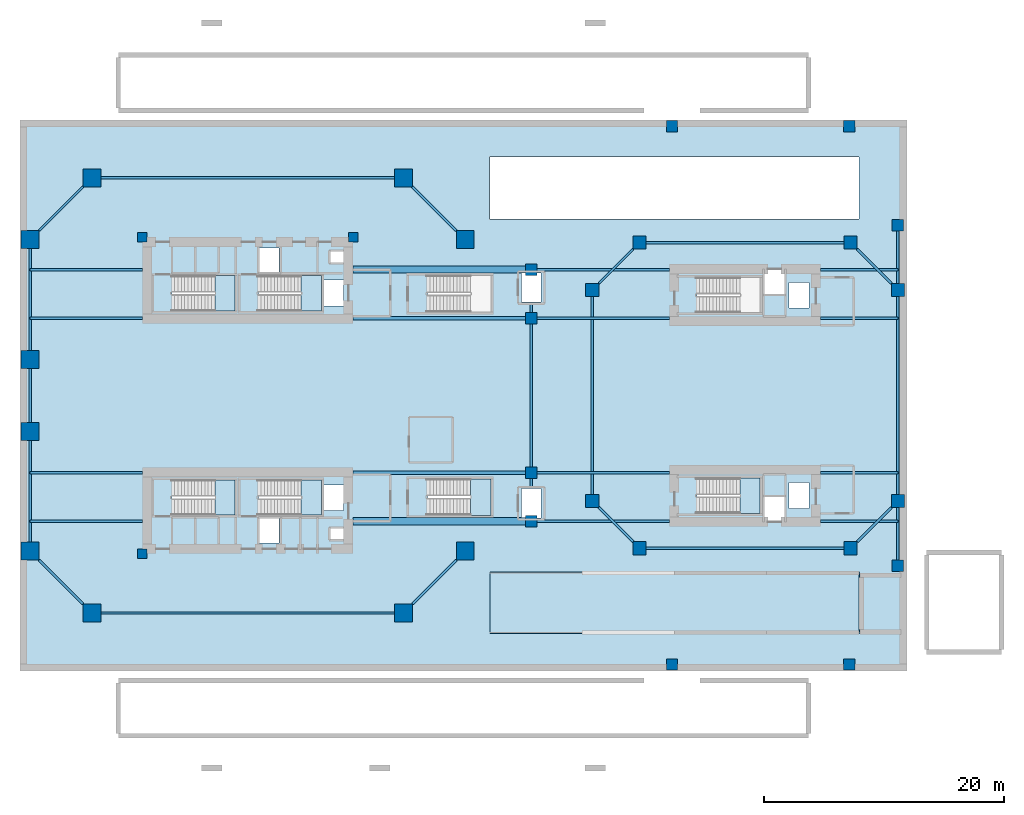
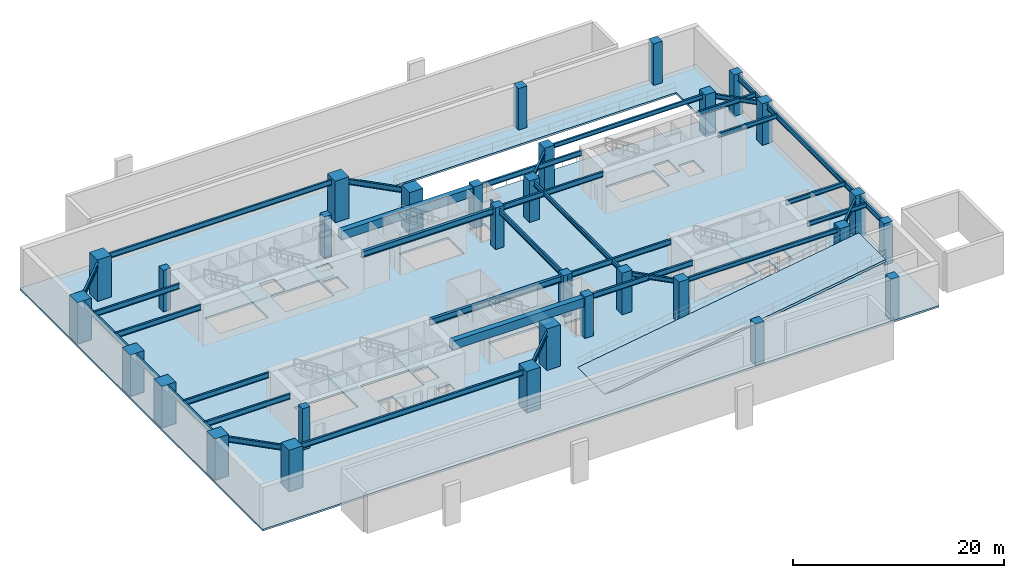
# One storey, part 1 of 10: 32 beams, 31 columns, 8 slabs, 6 elements without a shape of their own.
"""IFC4 building model written with IfcOpenShell, lengths in metres."""

import ifcopenshell
import ifcopenshell.guid

model = None  # the IFC model being written
_history = None  # IfcOwnerHistory: only IFC2X3 demands one
_inside = {}  # id of a spatial element -> (the spatial element, [elements in it])
_under = {}  # id of a project, library or spatial element -> (it, [spatial elements below it])
_declared = {}  # id of a project -> (the project, [libraries it declares])
_typed = {}  # id of a type object -> (the type object, [elements of that type])
_made_of = {}  # id of a material, layer set ... -> (it, [elements and type objects made of it])


def new_model(schema):
    """Start an empty IFC model of exactly this schema.

    Asked for "IFC4X3", IfcOpenShell would pick the latest addendum, in which some entities
    have other attributes; the version numbers below select the first issue.
    IFC2X3 requires an IfcOwnerHistory on every rooted entity: one is made here for all.
    """
    global model, _history
    if schema == "IFC4X3":
        model = ifcopenshell.file(schema_version=(4, 3, 0, 0))
    else:
        model = ifcopenshell.file(schema=schema)
    _inside.clear()
    _under.clear()
    _declared.clear()
    _typed.clear()
    _made_of.clear()
    _history = None
    if model.schema == "IFC2X3":
        org = make("IfcOrganization", Name="unknown")
        user = make(
            "IfcPersonAndOrganization",
            ThePerson=make("IfcPerson", FamilyName="unknown"),
            TheOrganization=org,
        )
        app = make(
            "IfcApplication",
            ApplicationDeveloper=org,
            Version="unknown",
            ApplicationFullName="unknown",
            ApplicationIdentifier="unknown",
        )
        _history = make(
            "IfcOwnerHistory",
            OwningUser=user,
            OwningApplication=app,
            ChangeAction="ADDED",
            CreationDate=0,
        )
    return model


def make(cls, **values):
    """One entity of the class cls with the attributes given. An attribute that is None is left unset."""
    return model.create_entity(
        cls, **{name: value for name, value in values.items() if value is not None}
    )


def rooted(cls, **values):
    """An entity with a GlobalId (a new one), such as an element, a storey or a relation."""
    return make(cls, GlobalId=ifcopenshell.guid.new(), OwnerHistory=_history, **values)


def si_unit(unit_type, name, prefix=None):
    """IfcSIUnit, for example si_unit("LENGTHUNIT", "METRE", prefix="MILLI")."""
    return make("IfcSIUnit", UnitType=unit_type, Prefix=prefix, Name=name)


def assignment(units):
    """IfcUnitAssignment: the units of a project."""
    return None if units is None else make("IfcUnitAssignment", Units=units)


def point(xyz):
    """IfcCartesianPoint."""
    return None if xyz is None else make("IfcCartesianPoint", Coordinates=xyz)


def direction(xyz):
    """IfcDirection."""
    return None if xyz is None else make("IfcDirection", DirectionRatios=xyz)


def frame(location, z_axis=None, x_axis=None):
    """IfcAxis2Placement3D, a coordinate frame: its origin and axes. An axis left out is left unset."""
    return make(
        "IfcAxis2Placement3D",
        Location=point(location),
        Axis=direction(z_axis),
        RefDirection=direction(x_axis),
    )


def frame_2d(location, x_axis=None):
    """IfcAxis2Placement2D, a coordinate frame in the plane: its origin and x axis."""
    return make(
        "IfcAxis2Placement2D", Location=point(location), RefDirection=direction(x_axis)
    )


def origin():
    """The frame at (0, 0, 0) with its axes left unset."""
    return frame((0.0, 0.0, 0.0))


def origin_2d():
    """The frame at (0, 0) in the plane with its x axis left unset."""
    return frame_2d((0.0, 0.0))


def place(relative_to, where):
    """IfcLocalPlacement: puts the frame where relative to a parent placement (None: the world)."""
    return make(
        "IfcLocalPlacement", PlacementRelTo=relative_to, RelativePlacement=where
    )


def context(
    kind, dimensions, precision=None, world=None, true_north=None, identifier=None
):
    """IfcGeometricRepresentationContext, for example the 3D "Model" context."""
    return make(
        "IfcGeometricRepresentationContext",
        ContextIdentifier=identifier,
        ContextType=kind,
        CoordinateSpaceDimension=dimensions,
        Precision=precision,
        WorldCoordinateSystem=world,
        TrueNorth=true_north,
    )


def subcontext(parent, identifier, kind, view, scale=None):
    """IfcGeometricRepresentationSubContext, for example "Body" below "Model"."""
    return make(
        "IfcGeometricRepresentationSubContext",
        ContextIdentifier=identifier,
        ContextType=kind,
        ParentContext=parent,
        TargetScale=scale,
        TargetView=view,
    )


def project(units=None, contexts=None):
    """IfcProject with its units and contexts."""
    return rooted(
        "IfcProject",
        Name="project",
        RepresentationContexts=contexts,
        UnitsInContext=assignment(units),
    )


def spatial(cls, under=None, at=None, **own):
    """A site, building, storey or space (cls), placed at a placement, below another one or the project."""
    s = rooted(cls, ObjectPlacement=at, **own)
    if under is not None:
        _under.setdefault(under.id(), (under, []))[1].append(s)
    return s


def polyline(points):
    """IfcPolyline through the points."""
    return make("IfcPolyline", Points=[point(p) for p in points])


def profile(cls, at=None, kind="AREA", **sizes):
    """A parametric profile (cls). Its sizes go by their IFC names, for example OverallWidth=200.0."""
    return make(cls, ProfileType=kind, Position=at, **sizes)


def rectangle(**sizes):
    """IfcRectangleProfileDef."""
    return profile("IfcRectangleProfileDef", **sizes)


def i_section(**sizes):
    """IfcIShapeProfileDef."""
    return profile("IfcIShapeProfileDef", **sizes)


def outline(outer, holes=None, kind="AREA"):
    """IfcArbitraryClosedProfileDef: a profile drawn as a closed curve; with holes, ...WithVoids."""
    if holes is None:
        return make("IfcArbitraryClosedProfileDef", ProfileType=kind, OuterCurve=outer)
    return make(
        "IfcArbitraryProfileDefWithVoids",
        ProfileType=kind,
        OuterCurve=outer,
        InnerCurves=holes,
    )


def extrude(swept, where, along, depth):
    """IfcExtrudedAreaSolid: the profile swept, set in the frame where, extruded along a direction by depth."""
    return make(
        "IfcExtrudedAreaSolid",
        SweptArea=swept,
        Position=where,
        ExtrudedDirection=direction(along),
        Depth=depth,
    )


def shape(context_of_items, identifier, shape_type, items):
    """IfcShapeRepresentation: the items that make up one representation, for example the "Body"."""
    return make(
        "IfcShapeRepresentation",
        ContextOfItems=context_of_items,
        RepresentationIdentifier=identifier,
        RepresentationType=shape_type,
        Items=items,
    )


def source(mapping_origin, context_of_items, identifier, shape_type, items):
    """IfcRepresentationMap: a shape defined once, which mapped items show again and again."""
    return make(
        "IfcRepresentationMap",
        MappingOrigin=mapping_origin,
        MappedRepresentation=shape(context_of_items, identifier, shape_type, items),
    )


def transform(
    local_origin,
    x_axis=None,
    y_axis=None,
    z_axis=None,
    scale=None,
    scale2=None,
    scale3=None,
    uniform=True,
):
    """IfcCartesianTransformationOperator3D, or its non-uniform kind. x_axis, y_axis, z_axis: its Axis1, 2, 3."""
    if uniform:
        return make(
            "IfcCartesianTransformationOperator3D",
            Axis1=direction(x_axis),
            Axis2=direction(y_axis),
            LocalOrigin=point(local_origin),
            Scale=scale,
            Axis3=direction(z_axis),
        )
    return make(
        "IfcCartesianTransformationOperator3DnonUniform",
        Axis1=direction(x_axis),
        Axis2=direction(y_axis),
        LocalOrigin=point(local_origin),
        Scale=scale,
        Axis3=direction(z_axis),
        Scale2=scale2,
        Scale3=scale3,
    )


def mapped(mapping_source, mapping_target):
    """IfcMappedItem: shows the shape of a source again, moved by a transform."""
    return make(
        "IfcMappedItem", MappingSource=mapping_source, MappingTarget=mapping_target
    )


def material(Name=None, Category=None):
    """IfcMaterial."""
    return make("IfcMaterial", Name=Name, Category=Category)


def layer(
    of_material, thickness, ventilated=None, Name=None, Category=None, Priority=None
):
    """IfcMaterialLayer: one layer of a wall or slab, of a material (None: an air gap)."""
    return make(
        "IfcMaterialLayer",
        Material=of_material,
        LayerThickness=thickness,
        IsVentilated=ventilated,
        Name=Name,
        Category=Category,
        Priority=Priority,
    )


def layer_set(layers, Name=None):
    """IfcMaterialLayerSet."""
    return make("IfcMaterialLayerSet", MaterialLayers=layers, LayerSetName=Name)


def material_profile(
    of_material, cross_section, Name=None, Category=None, Priority=None
):
    """IfcMaterialProfile: a cross section and its material."""
    return make(
        "IfcMaterialProfile",
        Name=Name,
        Material=of_material,
        Profile=cross_section,
        Priority=Priority,
        Category=Category,
    )


def profile_set(profiles, Name=None, composite=None):
    """IfcMaterialProfileSet."""
    return make(
        "IfcMaterialProfileSet",
        Name=Name,
        MaterialProfiles=profiles,
        CompositeProfile=composite,
    )


def made_of(thing, what):
    """Note that an element or type object is made of a material, layer set ...; save() writes the relation."""
    if what is not None:
        _made_of.setdefault(what.id(), (what, []))[1].append(thing)
    return thing


def type_object(cls, material=None, **own):
    """A type object (cls), such as IfcWallType, which elements share."""
    return made_of(rooted(cls, **own), material)


def element(
    cls,
    number,
    at=None,
    inside=None,
    cuts=None,
    type_object=None,
    material=None,
    context=None,
    identifier="Body",
    shape_type=None,
    held_by="IfcProductDefinitionShape",
    body=None,
    shapes=None,
    **own,
):
    """One element of the class cls, such as IfcWall. Its Tag is "e" and its number.

    at: its placement. inside: the storey or other place that contains it. cuts: it is an
    opening in that element (IfcRelVoidsElement). A single representation is given by context,
    identifier, shape_type and body (its items); several are given by shapes. held_by: the class
    of the entity that holds the representations. save() writes the other relations.
    """
    e = rooted(cls, Tag="e%d" % number, ObjectPlacement=at, **own)
    if body is not None:
        shapes = [shape(context, identifier, shape_type, body)]
    if shapes is not None:
        e.Representation = make(held_by, Representations=shapes)
    if inside is not None:
        _inside.setdefault(inside.id(), (inside, []))[1].append(e)
    if cuts is not None:
        rooted(
            "IfcRelVoidsElement", RelatingBuildingElement=cuts, RelatedOpeningElement=e
        )
    if type_object is not None:
        _typed.setdefault(type_object.id(), (type_object, []))[1].append(e)
    return made_of(e, material)


def aggregate(whole, parts):
    """IfcRelAggregates: a whole, such as a stair, and the parts it consists of."""
    return rooted("IfcRelAggregates", RelatingObject=whole, RelatedObjects=parts)


def save(model, path):
    """Write the relations noted so far, then the file.

    IfcRelAggregates (storeys below a building ...), IfcRelContainedInSpatialStructure (elements
    in a storey), IfcRelDefinesByType, IfcRelAssociatesMaterial and IfcRelDeclares: one each for
    every whole, place, type object, material and project.
    """
    for whole, parts in _under.values():
        aggregate(whole, parts)
    for where, things in _inside.values():
        rooted(
            "IfcRelContainedInSpatialStructure",
            RelatedElements=things,
            RelatingStructure=where,
        )
    for kind, things in _typed.values():
        rooted("IfcRelDefinesByType", RelatedObjects=things, RelatingType=kind)
    for what, things in _made_of.values():
        rooted("IfcRelAssociatesMaterial", RelatedObjects=things, RelatingMaterial=what)
    for by, libraries in _declared.values():
        rooted("IfcRelDeclares", RelatingContext=by, RelatedDefinitions=libraries)
    model.write(path)


model = new_model("IFC4")

# Units and contexts
model_context = context("Model", 3, precision=1e-05, world=origin(), true_north=direction((0.0, 1.0)))
body_context = subcontext(model_context, "Body", "Model", "MODEL_VIEW")
ifc_project = project(units=[si_unit("LENGTHUNIT", "METRE"), si_unit("AREAUNIT", "SQUARE_METRE"), si_unit("VOLUMEUNIT", "CUBIC_METRE"), si_unit("PLANEANGLEUNIT", "RADIAN"), si_unit("MASSUNIT", "GRAM", prefix="KILO"), si_unit("THERMODYNAMICTEMPERATUREUNIT", "KELVIN"), si_unit("POWERUNIT", "WATT")], contexts=[model_context])

# Site, building, storey
site_placement = place(None, origin())
site = spatial("IfcSite", under=ifc_project, at=site_placement, CompositionType="ELEMENT")
building_placement = place(site_placement, origin())
building = spatial("IfcBuilding", under=site, at=building_placement, Name="Qiaomeng Ring Towers", CompositionType="ELEMENT")
storey_placement = place(building_placement, frame((0.0, 0.0, -4.800048828125)))
storey = spatial("IfcBuildingStorey", under=building, at=storey_placement, Name="B1", CompositionType="ELEMENT", Elevation=-4.800048828125)

# Columns
ifc_material_1 = material(Name="Concrete C60", Category="concrete")
ifc_material_profile_1 = material_profile(ifc_material_1, rectangle(XDim=1.5, YDim=1.5, at=origin_2d()), Name="RC COL 1500x1500")
ifc_profile_set_1 = profile_set([ifc_material_profile_1], Name="Concrete C60")
column_type_1 = type_object("IfcColumnType", Name="STR-COL-1500", PredefinedType="COLUMN", material=ifc_profile_set_1)
shared_shape_1 = source(origin(), body_context, "Body", "SweptSolid", [
    extrude(rectangle(XDim=1.5, YDim=1.5, at=origin_2d()), origin(), (0.0, 0.0, 1.0), 4.800048828125),
])
for number, where, z_axis, x_axis, name in (
    (1, (6.0, 4.85009765625, 0.0), (0.0, 0.0, 1.0), (1.0, 0.0, 0.0), "B1 column STR-COL-B1-T1-S1"),
    (2, (32.0, 4.85009765625, 0.0), (0.0, 0.0, 1.0), (1.0, 0.0, 0.0), "B1 column STR-COL-B1-T1-S2"),
    (3, (37.14990234375, 10.0, 0.0), (0.0, 0.0, 1.0), (1.0, 0.0, 0.0), "B1 column STR-COL-B1-T1-E1"),
    (4, (37.14990234375, 36.0, 0.0), (0.0, 0.0, 1.0), (1.0, 0.0, 0.0), "B1 column STR-COL-B1-T1-E4"),
    (5, (32.0, 41.14990234375, 0.0), (0.0, 0.0, 1.0), (1.0, 0.0, 0.0), "B1 column STR-COL-B1-T1-N2"),
    (6, (6.0, 41.14990234375, 0.0), (0.0, 0.0, 1.0), (1.0, 0.0, 0.0), "B1 column STR-COL-B1-T1-N1"),
    (7, (0.85009765625, 36.0, 0.0), (0.0, 0.0, 1.0), (1.0, 0.0, 0.0), "B1 column STR-COL-B1-T1-W4"),
    (8, (0.85009765625, 26.0, 0.0), (0.0, 0.0, 1.0), (1.0, 0.0, 0.0), "B1 column STR-COL-B1-T1-W3"),
    (9, (0.85009765625, 20.0, 0.0), (0.0, 0.0, 1.0), (1.0, 0.0, 0.0), "B1 column STR-COL-B1-T1-W2"),
    (10, (0.85009765625, 10.0, 0.0), (0.0, 0.0, 1.0), (1.0, 0.0, 0.0), "B1 column STR-COL-B1-T1-W1"),
):
    element("IfcColumn", number, at=place(storey_placement, frame(where, z_axis=z_axis, x_axis=x_axis)), inside=storey, type_object=column_type_1, Name=name, PredefinedType="COLUMN", context=body_context, shape_type="MappedRepresentation", body=[
        mapped(shared_shape_1, transform((0.0, 0.0, 0.0), x_axis=(1.0, 0.0, 0.0), y_axis=(0.0, 1.0, 0.0), z_axis=(0.0, 0.0, 1.0), scale=1.0)),
    ])
ifc_material_profile_2 = material_profile(ifc_material_1, rectangle(XDim=1.10009765625, YDim=1.10009765625, at=origin_2d()), Name="RC COL 1100x1100")
ifc_profile_set_2 = profile_set([ifc_material_profile_2], Name="Concrete C60")
column_type_2 = type_object("IfcColumnType", Name="STR-COL-1100-C60", PredefinedType="COLUMN", material=ifc_profile_set_2)
shared_shape_2 = source(origin(), body_context, "Body", "SweptSolid", [
    extrude(rectangle(XDim=1.10009765625, YDim=1.10009765625, at=origin_2d()), origin(), (0.0, 0.0, 1.0), 4.800048828125),
])
for number, where, z_axis, x_axis, name in (
    (11, (51.699951171875, 10.25, 0.0), (0.0, 0.0, 1.0), (1.0, 0.0, 0.0), "B1 column STR-COL-B1-T2-S1"),
    (12, (69.300048828125, 10.25, 0.0), (0.0, 0.0, 1.0), (1.0, 0.0, 0.0), "B1 column STR-COL-B1-T2-S2"),
    (13, (73.25, 14.199951171875, 0.0), (0.0, 0.0, 1.0), (1.0, 0.0, 0.0), "B1 column STR-COL-B1-T2-E1"),
    (14, (73.25, 31.800048828125, 0.0), (0.0, 0.0, 1.0), (1.0, 0.0, 0.0), "B1 column STR-COL-B1-T2-E2"),
    (15, (69.300048828125, 35.75, 0.0), (0.0, 0.0, 1.0), (1.0, 0.0, 0.0), "B1 column STR-COL-B1-T2-N2"),
    (16, (51.699951171875, 35.75, 0.0), (0.0, 0.0, 1.0), (1.0, 0.0, 0.0), "B1 column STR-COL-B1-T2-N1"),
    (17, (47.75, 14.199951171875, 0.0), (0.0, 0.0, 1.0), (1.0, 0.0, 0.0), "B1 column STR-COL-B1-T2-W1"),
    (18, (47.75, 31.800048828125, 0.0), (0.0, 0.0, 1.0), (1.0, 0.0, 0.0), "B1 column STR-COL-B1-T2-W4"),
):
    element("IfcColumn", number, at=place(storey_placement, frame(where, z_axis=z_axis, x_axis=x_axis)), inside=storey, type_object=column_type_2, Name=name, PredefinedType="COLUMN", context=body_context, shape_type="MappedRepresentation", body=[
        mapped(shared_shape_2, transform((0.0, 0.0, 0.0), x_axis=(1.0, 0.0, 0.0), y_axis=(0.0, 1.0, 0.0), z_axis=(0.0, 0.0, 1.0), scale=1.0)),
    ])
ifc_material_profile_3 = material_profile(ifc_material_1, rectangle(XDim=0.949951171875, YDim=0.949951171875, at=origin_2d()), Name="RC COL 950x950")
ifc_profile_set_3 = profile_set([ifc_material_profile_3], Name="Concrete C60")
column_type_3 = type_object("IfcColumnType", Name="STR-COL-950-C60", PredefinedType="COLUMN", material=ifc_profile_set_3)
shared_shape_3 = source(origin(), body_context, "Body", "SweptSolid", [
    extrude(rectangle(XDim=0.949951171875, YDim=0.949951171875, at=origin_2d()), origin(), (0.0, 0.0, 1.0), 4.800048828125),
])
for number, where, z_axis, x_axis, name in (
    (19, (42.64990234375, 12.5, 0.0), (0.0, 0.0, 1.0), (1.0, 0.0, 0.0), "B1 column STR-COL-B1-P1"),
    (20, (42.64990234375, 16.550048828125, 0.0), (0.0, 0.0, 1.0), (1.0, 0.0, 0.0), "B1 column STR-COL-B1-P2S"),
    (21, (42.64990234375, 29.449951171875, 0.0), (0.0, 0.0, 1.0), (1.0, 0.0, 0.0), "B1 column STR-COL-B1-P2N"),
    (22, (42.64990234375, 33.5, 0.0), (0.0, 0.0, 1.0), (1.0, 0.0, 0.0), "B1 column STR-COL-B1-P3"),
    (23, (54.39990234375, 0.550048828125, 0.0), (0.0, 0.0, 1.0), (1.0, 0.0, 0.0), "B1 column STR-COL-B1-P4"),
    (24, (69.199951171875, 0.550048828125, 0.0), (0.0, 0.0, 1.0), (1.0, 0.0, 0.0), "B1 column STR-COL-B1-P5"),
    (25, (54.39990234375, 45.449951171875, 0.0), (0.0, 0.0, 1.0), (1.0, 0.0, 0.0), "B1 column STR-COL-B1-P6"),
    (26, (69.199951171875, 45.449951171875, 0.0), (0.0, 0.0, 1.0), (1.0, 0.0, 0.0), "B1 column STR-COL-B1-P7"),
    (27, (73.25, 8.800048828125, 0.0), (0.0, 0.0, 1.0), (1.0, 0.0, 0.0), "B1 column STR-COL-B1-PES"),
    (28, (73.25, 37.199951171875, 0.0), (0.0, 0.0, 1.0), (1.0, 0.0, 0.0), "B1 column STR-COL-B1-PEN"),
):
    element("IfcColumn", number, at=place(storey_placement, frame(where, z_axis=z_axis, x_axis=x_axis)), inside=storey, type_object=column_type_3, Name=name, PredefinedType="COLUMN", context=body_context, shape_type="MappedRepresentation", body=[
        mapped(shared_shape_3, transform((0.0, 0.0, 0.0), x_axis=(1.0, 0.0, 0.0), y_axis=(0.0, 1.0, 0.0), z_axis=(0.0, 0.0, 1.0), scale=1.0)),
    ])
ifc_material_profile_4 = material_profile(ifc_material_1, rectangle(XDim=0.800048828125, YDim=0.800048828125, at=origin_2d()), Name="RC COL 800x800")
ifc_profile_set_4 = profile_set([ifc_material_profile_4], Name="Concrete C60")
column_type_4 = type_object("IfcColumnType", Name="STR-PIL-800", PredefinedType="PILASTER", material=ifc_profile_set_4)
shared_shape_4 = source(origin(), body_context, "Body", "SweptSolid", [
    extrude(rectangle(XDim=0.800048828125, YDim=0.800048828125, at=origin_2d()), origin(), (0.0, 0.0, 1.0), 4.800048828125),
])
for number, where, z_axis, x_axis, name in (
    (29, (10.199951171875, 36.199951171875, 0.0), (0.0, 0.0, 1.0), (1.0, 0.0, 0.0), "B1 column STR-PIL-B1-PL-N1"),
    (30, (10.199951171875, 9.800048828125, 0.0), (0.0, 0.0, 1.0), (1.0, 0.0, 0.0), "B1 column STR-PIL-B1-PL-S1"),
    (31, (27.800048828125, 36.199951171875, 0.0), (0.0, 0.0, 1.0), (1.0, 0.0, 0.0), "B1 column STR-PIL-B1-PL-N2"),
):
    element("IfcColumn", number, at=place(storey_placement, frame(where, z_axis=z_axis, x_axis=x_axis)), inside=storey, type_object=column_type_4, Name=name, PredefinedType="PILASTER", context=body_context, shape_type="MappedRepresentation", body=[
        mapped(shared_shape_4, transform((0.0, 0.0, 0.0), x_axis=(1.0, 0.0, 0.0), y_axis=(0.0, 1.0, 0.0), z_axis=(0.0, 0.0, 1.0), scale=1.0)),
    ])

# Beams
ifc_material_profile_5 = material_profile(ifc_material_1, rectangle(XDim=0.60009765625, YDim=1.0, at=origin_2d()), Name="RC BM 600x1000")
ifc_profile_set_5 = profile_set([ifc_material_profile_5], Name="Concrete C60")
beam_type_1 = type_object("IfcBeamType", Name="STR-BM-RC1000", PredefinedType="LINTEL", material=ifc_profile_set_5)
shared_shape_5 = source(origin(), body_context, "Body", "SweptSolid", [
    extrude(rectangle(XDim=0.60009765625, YDim=1.0, at=origin_2d()), origin(), (0.0, 0.0, 1.0), 14.849853515625),
])
for number, where, z_axis, x_axis, name in (
    (32, (27.800048828125, 33.5, 4.080078125), (1.0, 0.0, 0.0), (0.0, 1.0, 0.0), "B1 beam STR-CB-B1-T1N"),
    (33, (27.800048828125, 12.5, 4.080078125), (1.0, 0.0, 0.0), (0.0, 1.0, 0.0), "B1 beam STR-CB-B1-T1S"),
):
    element("IfcBeam", number, at=place(storey_placement, frame(where, z_axis=z_axis, x_axis=x_axis)), inside=storey, type_object=beam_type_1, Name=name, PredefinedType="LINTEL", context=body_context, shape_type="MappedRepresentation", body=[
        mapped(shared_shape_5, transform((0.0, 0.0, 0.0), x_axis=(1.0, 0.0, 0.0), y_axis=(0.0, 1.0, 0.0), z_axis=(0.0, 0.0, 1.0), scale=1.0)),
    ])
ifc_material_2 = material(Name="Steel Q355B", Category="steel")
ifc_material_profile_6 = material_profile(ifc_material_2, i_section(OverallWidth=0.199951171875, OverallDepth=0.60009765625, WebThickness=0.010986328125, FlangeThickness=0.01708984375, FilletRadius=0.02197265625, at=origin_2d()), Name="HN 600x200x11x17")
ifc_profile_set_6 = profile_set([ifc_material_profile_6], Name="Steel Q355B")
beam_type_2 = type_object("IfcBeamType", Name="STR-BM-HN600", PredefinedType="BEAM", material=ifc_profile_set_6)
shared_shape_6 = source(origin(), body_context, "Body", "SweptSolid", [
    extrude(i_section(OverallWidth=0.199951171875, OverallDepth=0.60009765625, WebThickness=0.010986328125, FlangeThickness=0.01708984375, FilletRadius=0.02197265625, at=origin_2d()), origin(), (0.0, 0.0, 1.0), 24.501953125),
])
for number, where, z_axis, x_axis, name in (
    (34, (0.85009765625, 10.7490234375, 4.280029296875), (0.0, 1.0, 0.0), (-1.0, 0.0, 0.0), "B1 beam STR-SP-B1-WL"),
    (35, (6.7490234375, 4.85009765625, 4.280029296875), (1.0, 0.0, 0.0), (0.0, 1.0, 0.0), "B1 beam STR-SP-B1-T1-1"),
    (36, (31.2509765625, 41.14990234375, 4.280029296875), (-1.0, 0.0, 0.0), (0.0, -1.0, 0.0), "B1 beam STR-SP-B1-T1-4"),
):
    element("IfcBeam", number, at=place(storey_placement, frame(where, z_axis=z_axis, x_axis=x_axis)), inside=storey, type_object=beam_type_2, Name=name, PredefinedType="BEAM", context=body_context, shape_type="MappedRepresentation", body=[
        mapped(shared_shape_6, transform((0.0, 0.0, 0.0), x_axis=(1.0, 0.0, 0.0), y_axis=(0.0, 1.0, 0.0), z_axis=(0.0, 0.0, 1.0), scale=1.0)),
    ])
shared_shape_7 = source(origin(), body_context, "Body", "SweptSolid", [
    extrude(i_section(OverallWidth=0.199951171875, OverallDepth=0.60009765625, WebThickness=0.010986328125, FlangeThickness=0.01708984375, FilletRadius=0.02197265625, at=origin_2d()), origin(), (0.0, 0.0, 1.0), 27.4521484375),
])
beam_1_placement = place(storey_placement, frame((73.25, 9.27392578125, 4.280029296875), z_axis=(0.0, 1.0, 0.0), x_axis=(-1.0, 0.0, 0.0)))
element("IfcBeam", 37, at=beam_1_placement, inside=storey, type_object=beam_type_2, Name="B1 beam STR-SP-B1-EL", PredefinedType="BEAM", context=body_context, shape_type="MappedRepresentation", body=[
    mapped(shared_shape_7, transform((0.0, 0.0, 0.0), x_axis=(1.0, 0.0, 0.0), y_axis=(0.0, 1.0, 0.0), z_axis=(0.0, 0.0, 1.0), scale=1.0)),
])
shared_shape_8 = source(origin(), body_context, "Body", "SweptSolid", [
    extrude(i_section(OverallWidth=0.199951171875, OverallDepth=0.60009765625, WebThickness=0.010986328125, FlangeThickness=0.01708984375, FilletRadius=0.02197265625, at=origin_2d()), origin(), (0.0, 0.0, 1.0), 5.163818359375),
])
for number, where, z_axis, x_axis, name in (
    (38, (1.599365234375, 9.250732421875, 4.280029296875), (0.707106781187, -0.707106781187, 0.0), (0.707106781187, 0.707106781187, 0.0), "B1 beam STR-SP-B1-T1-0"),
    (39, (32.749267578125, 5.599365234375, 4.280029296875), (0.707106781187, 0.707106781187, 0.0), (-0.707106781187, 0.707106781187, 0.0), "B1 beam STR-SP-B1-T1-2"),
    (40, (36.400634765625, 36.749267578125, 4.280029296875), (-0.707106781187, 0.707106781187, 0.0), (-0.707106781187, -0.707106781187, 0.0), "B1 beam STR-SP-B1-T1-3"),
    (41, (5.250732421875, 40.400634765625, 4.280029296875), (-0.707106781187, -0.707106781187, 0.0), (0.707106781187, -0.707106781187, 0.0), "B1 beam STR-SP-B1-T1-5"),
):
    element("IfcBeam", number, at=place(storey_placement, frame(where, z_axis=z_axis, x_axis=x_axis)), inside=storey, type_object=beam_type_2, Name=name, PredefinedType="BEAM", context=body_context, shape_type="MappedRepresentation", body=[
        mapped(shared_shape_8, transform((0.0, 0.0, 0.0), x_axis=(1.0, 0.0, 0.0), y_axis=(0.0, 1.0, 0.0), z_axis=(0.0, 0.0, 1.0), scale=1.0)),
    ])
ifc_material_profile_7 = material_profile(ifc_material_2, i_section(OverallWidth=0.199951171875, OverallDepth=0.5, WebThickness=0.010009765625, FlangeThickness=0.01611328125, FilletRadius=0.02001953125, at=origin_2d()), Name="HN 500x200x10x16")
ifc_profile_set_7 = profile_set([ifc_material_profile_7], Name="Steel Q355B")
beam_type_3 = type_object("IfcBeamType", Name="STR-BM-HN500", PredefinedType="BEAM", material=ifc_profile_set_7)
shared_shape_9 = source(origin(), body_context, "Body", "SweptSolid", [
    extrude(i_section(OverallWidth=0.199951171875, OverallDepth=0.5, WebThickness=0.010009765625, FlangeThickness=0.01611328125, FilletRadius=0.02001953125, at=origin_2d()), origin(), (0.0, 0.0, 1.0), 4.032470703125),
])
for number, where, z_axis, x_axis, name in (
    (42, (48.29931640625, 13.650634765625, 4.330078125), (0.707106781187, -0.707106781187, 0.0), (0.707106781187, 0.707106781187, 0.0), "B1 beam STR-SP-B1-T2-0"),
    (43, (69.849365234375, 10.79931640625, 4.330078125), (0.707106781187, 0.707106781187, 0.0), (-0.707106781187, 0.707106781187, 0.0), "B1 beam STR-SP-B1-T2-2"),
    (44, (72.70068359375, 32.349365234375, 4.330078125), (-0.707106781187, 0.707106781187, 0.0), (-0.707106781187, -0.707106781187, 0.0), "B1 beam STR-SP-B1-T2-4"),
    (45, (51.150634765625, 35.20068359375, 4.330078125), (-0.707106781187, -0.707106781187, 0.0), (0.707106781187, -0.707106781187, 0.0), "B1 beam STR-SP-B1-T2-6"),
):
    element("IfcBeam", number, at=place(storey_placement, frame(where, z_axis=z_axis, x_axis=x_axis)), inside=storey, type_object=beam_type_3, Name=name, PredefinedType="BEAM", context=body_context, shape_type="MappedRepresentation", body=[
        mapped(shared_shape_9, transform((0.0, 0.0, 0.0), x_axis=(1.0, 0.0, 0.0), y_axis=(0.0, 1.0, 0.0), z_axis=(0.0, 0.0, 1.0), scale=1.0)),
    ])
shared_shape_10 = source(origin(), body_context, "Body", "SweptSolid", [
    extrude(i_section(OverallWidth=0.199951171875, OverallDepth=0.5, WebThickness=0.010009765625, FlangeThickness=0.01611328125, FilletRadius=0.02001953125, at=origin_2d()), origin(), (0.0, 0.0, 1.0), 16.501953125),
])
for number, where, z_axis, x_axis, name in (
    (46, (52.2490234375, 10.25, 4.330078125), (1.0, 0.0, 0.0), (0.0, 1.0, 0.0), "B1 beam STR-SP-B1-T2-1"),
    (47, (68.7509765625, 35.75, 4.330078125), (-1.0, 0.0, 0.0), (0.0, -1.0, 0.0), "B1 beam STR-SP-B1-T2-5"),
    (48, (47.75, 14.7490234375, 4.330078125), (0.0, 1.0, 0.0), (-1.0, 0.0, 0.0), "B1 beam STR-SP-B1-T2-7"),
):
    element("IfcBeam", number, at=place(storey_placement, frame(where, z_axis=z_axis, x_axis=x_axis)), inside=storey, type_object=beam_type_3, Name=name, PredefinedType="BEAM", context=body_context, shape_type="MappedRepresentation", body=[
        mapped(shared_shape_10, transform((0.0, 0.0, 0.0), x_axis=(1.0, 0.0, 0.0), y_axis=(0.0, 1.0, 0.0), z_axis=(0.0, 0.0, 1.0), scale=1.0)),
    ])
shared_shape_11 = source(origin(), body_context, "Body", "SweptSolid", [
    extrude(i_section(OverallWidth=0.199951171875, OverallDepth=0.60009765625, WebThickness=0.010986328125, FlangeThickness=0.01708984375, FilletRadius=0.02197265625, at=origin_2d()), origin(), (0.0, 0.0, 1.0), 15.39990234375),
])
beam_2_placement = place(storey_placement, frame((42.64990234375, 15.300048828125, 4.280029296875), z_axis=(0.0, 1.0, 0.0), x_axis=(-1.0, 0.0, 0.0)))
element("IfcBeam", 49, at=beam_2_placement, inside=storey, type_object=beam_type_2, Name="B1 beam STR-BM-B1-THROAT-N", PredefinedType="BEAM", context=body_context, shape_type="MappedRepresentation", body=[
    mapped(shared_shape_11, transform((0.0, 0.0, 0.0), x_axis=(1.0, 0.0, 0.0), y_axis=(0.0, 1.0, 0.0), z_axis=(0.0, 0.0, 1.0), scale=1.0)),
])
shared_shape_12 = source(origin(), body_context, "Body", "SweptSolid", [
    extrude(i_section(OverallWidth=0.199951171875, OverallDepth=0.60009765625, WebThickness=0.010986328125, FlangeThickness=0.01708984375, FilletRadius=0.02197265625, at=origin_2d()), origin(), (0.0, 0.0, 1.0), 9.349853515625),
])
for number, where, z_axis, x_axis, name in (
    (50, (0.85009765625, 12.5, 4.280029296875), (1.0, 0.0, 0.0), (0.0, 1.0, 0.0), "B1 beam STR-BM-B1-W-0"),
    (51, (0.85009765625, 16.550048828125, 4.280029296875), (1.0, 0.0, 0.0), (0.0, 1.0, 0.0), "B1 beam STR-BM-B1-W-1"),
    (52, (0.85009765625, 29.449951171875, 4.280029296875), (1.0, 0.0, 0.0), (0.0, 1.0, 0.0), "B1 beam STR-BM-B1-W-2"),
    (53, (0.85009765625, 33.5, 4.280029296875), (1.0, 0.0, 0.0), (0.0, 1.0, 0.0), "B1 beam STR-BM-B1-W-3"),
):
    element("IfcBeam", number, at=place(storey_placement, frame(where, z_axis=z_axis, x_axis=x_axis)), inside=storey, type_object=beam_type_2, Name=name, PredefinedType="BEAM", context=body_context, shape_type="MappedRepresentation", body=[
        mapped(shared_shape_12, transform((0.0, 0.0, 0.0), x_axis=(1.0, 0.0, 0.0), y_axis=(0.0, 1.0, 0.0), z_axis=(0.0, 0.0, 1.0), scale=1.0)),
    ])
shared_shape_13 = source(origin(), body_context, "Body", "SweptSolid", [
    extrude(i_section(OverallWidth=0.199951171875, OverallDepth=0.60009765625, WebThickness=0.010986328125, FlangeThickness=0.01708984375, FilletRadius=0.02197265625, at=origin_2d()), origin(), (0.0, 0.0, 1.0), 11.550048828125),
])
for number, where, z_axis, x_axis, name in (
    (54, (42.64990234375, 12.5, 4.280029296875), (1.0, 0.0, 0.0), (0.0, 1.0, 0.0), "B1 beam STR-BM-B1-M2-0"),
    (55, (42.64990234375, 16.550048828125, 4.280029296875), (1.0, 0.0, 0.0), (0.0, 1.0, 0.0), "B1 beam STR-BM-B1-M2-1"),
    (56, (42.64990234375, 29.449951171875, 4.280029296875), (1.0, 0.0, 0.0), (0.0, 1.0, 0.0), "B1 beam STR-BM-B1-M2-2"),
    (57, (42.64990234375, 33.5, 4.280029296875), (1.0, 0.0, 0.0), (0.0, 1.0, 0.0), "B1 beam STR-BM-B1-M2-3"),
):
    element("IfcBeam", number, at=place(storey_placement, frame(where, z_axis=z_axis, x_axis=x_axis)), inside=storey, type_object=beam_type_2, Name=name, PredefinedType="BEAM", context=body_context, shape_type="MappedRepresentation", body=[
        mapped(shared_shape_13, transform((0.0, 0.0, 0.0), x_axis=(1.0, 0.0, 0.0), y_axis=(0.0, 1.0, 0.0), z_axis=(0.0, 0.0, 1.0), scale=1.0)),
    ])
shared_shape_14 = source(origin(), body_context, "Body", "SweptSolid", [
    extrude(i_section(OverallWidth=0.199951171875, OverallDepth=0.5, WebThickness=0.010009765625, FlangeThickness=0.01611328125, FilletRadius=0.02001953125, at=origin_2d()), origin(), (0.0, 0.0, 1.0), 6.449951171875),
])
for number, where, z_axis, x_axis, name in (
    (58, (66.800048828125, 12.5, 4.330078125), (1.0, 0.0, 0.0), (0.0, 1.0, 0.0), "B1 beam STR-BM-B1-E-0"),
    (59, (66.800048828125, 16.550048828125, 4.330078125), (1.0, 0.0, 0.0), (0.0, 1.0, 0.0), "B1 beam STR-BM-B1-E-1"),
    (60, (66.800048828125, 29.449951171875, 4.330078125), (1.0, 0.0, 0.0), (0.0, 1.0, 0.0), "B1 beam STR-BM-B1-E-2"),
    (61, (66.800048828125, 33.5, 4.330078125), (1.0, 0.0, 0.0), (0.0, 1.0, 0.0), "B1 beam STR-BM-B1-E-3"),
):
    element("IfcBeam", number, at=place(storey_placement, frame(where, z_axis=z_axis, x_axis=x_axis)), inside=storey, type_object=beam_type_3, Name=name, PredefinedType="BEAM", context=body_context, shape_type="MappedRepresentation", body=[
        mapped(shared_shape_14, transform((0.0, 0.0, 0.0), x_axis=(1.0, 0.0, 0.0), y_axis=(0.0, 1.0, 0.0), z_axis=(0.0, 0.0, 1.0), scale=1.0)),
    ])
ifc_material_profile_8 = material_profile(ifc_material_2, i_section(OverallWidth=0.300048828125, OverallDepth=0.699951171875, WebThickness=0.012939453125, FlangeThickness=0.02392578125, FilletRadius=0.02392578125, at=origin_2d()), Name="HN 700x300x13x24")
ifc_profile_set_8 = profile_set([ifc_material_profile_8], Name="Steel Q355B")
beam_type_4 = type_object("IfcBeamType", Name="STR-BM-HN700", PredefinedType="BEAM", material=ifc_profile_set_8)
shared_shape_15 = source(origin(), body_context, "Body", "SweptSolid", [
    extrude(i_section(OverallWidth=0.300048828125, OverallDepth=0.699951171875, WebThickness=0.012939453125, FlangeThickness=0.02392578125, FilletRadius=0.02392578125, at=origin_2d()), origin(), (0.0, 0.0, 1.0), 14.849853515625),
])
for number, where, z_axis, x_axis, name in (
    (62, (27.800048828125, 16.550048828125, 4.22998046875), (1.0, 0.0, 0.0), (0.0, 1.0, 0.0), "B1 beam STR-BM-B1-M1-1"),
    (63, (27.800048828125, 29.449951171875, 4.22998046875), (1.0, 0.0, 0.0), (0.0, 1.0, 0.0), "B1 beam STR-BM-B1-M1-2"),
):
    element("IfcBeam", number, at=place(storey_placement, frame(where, z_axis=z_axis, x_axis=x_axis)), inside=storey, type_object=beam_type_4, Name=name, PredefinedType="BEAM", context=body_context, shape_type="MappedRepresentation", body=[
        mapped(shared_shape_15, transform((0.0, 0.0, 0.0), x_axis=(1.0, 0.0, 0.0), y_axis=(0.0, 1.0, 0.0), z_axis=(0.0, 0.0, 1.0), scale=1.0)),
    ])

# Slab
ifc_material_3 = material(Name="Concrete C40", Category="concrete")
ifc_layer_1 = layer(ifc_material_3, 0.219970703125, Name="Concrete C40")
ifc_layer_set_1 = layer_set([ifc_layer_1], Name="Concrete C40")
slab_type_1 = type_object("IfcSlabType", Name="STR-SL-220", PredefinedType="FLOOR", material=ifc_layer_set_1)
slab_1_placement = place(storey_placement, frame((0.0, 0.0, -0.219970703125)))
element("IfcSlab", 64, at=slab_1_placement, inside=storey, type_object=slab_type_1, Name="B1 Structural Floor Slab", PredefinedType="FLOOR", context=body_context, shape_type="SweptSolid", body=[
    extrude(outline(polyline([(0.0, 0.0), (74.0, 0.0), (74.0, 46.0), (0.0, 46.0), (0.0, 0.0)]), holes=[polyline([(25.919921875, 11.89990234375), (27.360107421875, 11.89990234375), (27.360107421875, 11.0), (25.919921875, 11.0), (25.919921875, 11.89990234375)]), polyline([(21.6201171875, 12.820068359375), (21.6201171875, 10.679931640625), (19.97998046875, 10.679931640625), (19.97998046875, 12.820068359375), (21.6201171875, 12.820068359375)]), polyline([(27.0, 15.52001953125), (27.0, 13.3798828125), (25.360107421875, 13.3798828125), (25.360107421875, 15.52001953125), (27.0, 15.52001953125)]), polyline([(12.679931640625, 15.949951171875), (17.949951171875, 15.949951171875), (17.949951171875, 13.010009765625), (12.679931640625, 13.010009765625), (12.679931640625, 15.949951171875)]), polyline([(25.14990234375, 15.949951171875), (25.14990234375, 13.010009765625), (19.8798828125, 13.010009765625), (19.8798828125, 15.949951171875), (25.14990234375, 15.949951171875)]), polyline([(39.300048828125, 16.0400390625), (39.300048828125, 13.0), (33.989990234375, 13.0), (33.989990234375, 16.0400390625), (39.300048828125, 16.0400390625)]), polyline([(33.989990234375, 33.0), (39.300048828125, 33.0), (39.300048828125, 29.9599609375), (33.989990234375, 29.9599609375), (33.989990234375, 33.0)]), polyline([(17.949951171875, 32.989990234375), (17.949951171875, 30.050048828125), (12.679931640625, 30.050048828125), (12.679931640625, 32.989990234375), (17.949951171875, 32.989990234375)]), polyline([(25.14990234375, 32.989990234375), (25.14990234375, 30.050048828125), (19.8798828125, 30.050048828125), (19.8798828125, 32.989990234375), (25.14990234375, 32.989990234375)]), polyline([(25.360107421875, 32.6201171875), (27.0, 32.6201171875), (27.0, 30.47998046875), (25.360107421875, 30.47998046875), (25.360107421875, 32.6201171875)]), polyline([(21.6201171875, 35.320068359375), (21.6201171875, 33.179931640625), (19.97998046875, 33.179931640625), (19.97998046875, 35.320068359375), (21.6201171875, 35.320068359375)]), polyline([(27.360107421875, 35.0), (27.360107421875, 34.10009765625), (25.919921875, 34.10009765625), (25.919921875, 35.0), (27.360107421875, 35.0)]), polyline([(39.199951171875, 8.260009765625), (41.050048828125, 8.260009765625), (41.050048828125, 3.139892578125), (39.199951171875, 3.139892578125), (39.199951171875, 8.260009765625)]), polyline([(63.77001953125, 14.52001953125), (63.77001953125, 12.3798828125), (62.1298828125, 12.3798828125), (62.1298828125, 14.52001953125), (63.77001953125, 14.52001953125)]), polyline([(43.469970703125, 15.219970703125), (43.469970703125, 12.780029296875), (41.830078125, 12.780029296875), (41.830078125, 15.219970703125), (43.469970703125, 15.219970703125)]), polyline([(56.47998046875, 16.10009765625), (61.75, 16.10009765625), (61.75, 13.159912109375), (56.47998046875, 13.159912109375), (56.47998046875, 16.10009765625)]), polyline([(65.820068359375, 15.719970703125), (65.820068359375, 13.580078125), (64.179931640625, 13.580078125), (64.179931640625, 15.719970703125), (65.820068359375, 15.719970703125)]), polyline([(65.820068359375, 32.419921875), (65.820068359375, 30.280029296875), (64.179931640625, 30.280029296875), (64.179931640625, 32.419921875), (65.820068359375, 32.419921875)]), polyline([(61.75, 32.840087890625), (61.75, 29.89990234375), (56.47998046875, 29.89990234375), (56.47998046875, 32.840087890625), (61.75, 32.840087890625)]), polyline([(41.830078125, 33.219970703125), (43.469970703125, 33.219970703125), (43.469970703125, 30.780029296875), (41.830078125, 30.780029296875), (41.830078125, 33.219970703125)]), polyline([(63.77001953125, 33.6201171875), (63.77001953125, 31.47998046875), (62.1298828125, 31.47998046875), (62.1298828125, 33.6201171875), (63.77001953125, 33.6201171875)]), polyline([(70.0, 42.89990234375), (70.0, 37.699951171875), (39.199951171875, 37.699951171875), (39.199951171875, 42.89990234375), (70.0, 42.89990234375)])]), origin(), (0.0, 0.0, 1.0), 0.219970703125),
])

# Stair, slab
ifc_material_4 = material(Name="Precast concrete C40", Category="concrete")
stair_type_1 = type_object("IfcStairType", Name="ARC-ST-480", PredefinedType="HALF_TURN_STAIR", material=ifc_material_4)
stair_1_placement = place(storey_placement, origin())
stair_1 = element("IfcStair", 65, at=stair_1_placement, inside=storey, type_object=stair_type_1, Name="B1 Tower 1 North Stair 1", PredefinedType="HALF_TURN_STAIR")
ifc_layer_2 = layer(ifc_material_3, 0.199951171875, Name="Concrete C40")
ifc_layer_set_2 = layer_set([ifc_layer_2], Name="Concrete C40")
slab_type_2 = type_object("IfcSlabType", Name="STR-SL-LANDING", PredefinedType="LANDING", material=ifc_layer_set_2)
slab_2_placement = place(storey_placement, frame((0.0, 0.0, 2.199951171875)))
slab_2 = element("IfcSlab", 66, at=slab_2_placement, type_object=slab_type_2, Name="ST1 landing 1", PredefinedType="LANDING", context=body_context, shape_type="SweptSolid", body=[
    extrude(outline(polyline([(16.260009765625, 30.050048828125), (17.949951171875, 30.050048828125), (17.949951171875, 32.989990234375), (16.260009765625, 32.989990234375), (16.260009765625, 30.050048828125)])), origin(), (0.0, 0.0, 1.0), 0.2001953125),
])
aggregate(stair_1, [slab_2])

stair_2_placement = place(storey_placement, origin())
stair_2 = element("IfcStair", 67, at=stair_2_placement, inside=storey, type_object=stair_type_1, Name="B1 Tower 1 North Stair 2", PredefinedType="HALF_TURN_STAIR")
slab_3_placement = place(storey_placement, frame((0.0, 0.0, 2.199951171875)))
slab_3 = element("IfcSlab", 68, at=slab_3_placement, type_object=slab_type_2, Name="ST2 landing 1", PredefinedType="LANDING", context=body_context, shape_type="SweptSolid", body=[
    extrude(outline(polyline([(23.4599609375, 30.050048828125), (25.14990234375, 30.050048828125), (25.14990234375, 32.989990234375), (23.4599609375, 32.989990234375), (23.4599609375, 30.050048828125)])), origin(), (0.0, 0.0, 1.0), 0.2001953125),
])
aggregate(stair_2, [slab_3])

stair_3_placement = place(storey_placement, origin())
stair_3 = element("IfcStair", 69, at=stair_3_placement, inside=storey, type_object=stair_type_1, Name="B1 Tower 1 South Stair 3", PredefinedType="HALF_TURN_STAIR")
slab_4_placement = place(storey_placement, frame((0.0, 0.0, 2.199951171875)))
slab_4 = element("IfcSlab", 70, at=slab_4_placement, type_object=slab_type_2, Name="ST3 landing 1", PredefinedType="LANDING", context=body_context, shape_type="SweptSolid", body=[
    extrude(outline(polyline([(16.260009765625, 13.010009765625), (17.949951171875, 13.010009765625), (17.949951171875, 15.949951171875), (16.260009765625, 15.949951171875), (16.260009765625, 13.010009765625)])), origin(), (0.0, 0.0, 1.0), 0.2001953125),
])
aggregate(stair_3, [slab_4])

stair_4_placement = place(storey_placement, origin())
stair_4 = element("IfcStair", 71, at=stair_4_placement, inside=storey, type_object=stair_type_1, Name="B1 Tower 1 South Stair 4", PredefinedType="HALF_TURN_STAIR")
slab_5_placement = place(storey_placement, frame((0.0, 0.0, 2.199951171875)))
slab_5 = element("IfcSlab", 72, at=slab_5_placement, type_object=slab_type_2, Name="ST4 landing 1", PredefinedType="LANDING", context=body_context, shape_type="SweptSolid", body=[
    extrude(outline(polyline([(23.4599609375, 13.010009765625), (25.14990234375, 13.010009765625), (25.14990234375, 15.949951171875), (23.4599609375, 15.949951171875), (23.4599609375, 13.010009765625)])), origin(), (0.0, 0.0, 1.0), 0.2001953125),
])
aggregate(stair_4, [slab_5])

stair_5_placement = place(storey_placement, origin())
stair_5 = element("IfcStair", 73, at=stair_5_placement, inside=storey, type_object=stair_type_1, Name="B1 Companion South Stair 6", PredefinedType="HALF_TURN_STAIR")
slab_6_placement = place(storey_placement, frame((0.0, 0.0, 2.199951171875)))
slab_6 = element("IfcSlab", 74, at=slab_6_placement, type_object=slab_type_2, Name="ST6 landing 1", PredefinedType="LANDING", context=body_context, shape_type="SweptSolid", body=[
    extrude(outline(polyline([(60.06005859375, 13.159912109375), (61.75, 13.159912109375), (61.75, 16.10009765625), (60.06005859375, 16.10009765625), (60.06005859375, 13.159912109375)])), origin(), (0.0, 0.0, 1.0), 0.2001953125),
])
aggregate(stair_5, [slab_6])

stair_type_2 = type_object("IfcStairType", Name="ARC-ST-POD", PredefinedType="HALF_TURN_STAIR", material=ifc_material_4)
stair_6_placement = place(storey_placement, origin())
stair_6 = element("IfcStair", 75, at=stair_6_placement, inside=storey, type_object=stair_type_2, Name="B1 Podium Clinic South Stair 8", PredefinedType="HALF_TURN_STAIR")
slab_7_placement = place(storey_placement, frame((0.0, 0.0, 2.199951171875)))
slab_7 = element("IfcSlab", 76, at=slab_7_placement, type_object=slab_type_2, Name="ST8 landing 1", PredefinedType="LANDING", context=body_context, shape_type="SweptSolid", body=[
    extrude(outline(polyline([(37.570068359375, 13.0), (39.300048828125, 13.0), (39.300048828125, 16.0400390625), (37.570068359375, 16.0400390625), (37.570068359375, 13.0)])), origin(), (0.0, 0.0, 1.0), 0.2001953125),
])
aggregate(stair_6, [slab_7])

# Slab
ifc_layer_3 = layer(ifc_material_3, 0.280029296875, Name="Concrete C40")
ifc_layer_set_3 = layer_set([ifc_layer_3], Name="Concrete C40")
slab_type_3 = type_object("IfcSlabType", Name="STR-SL-VRAMP", PredefinedType="FLOOR", material=ifc_layer_set_3)
slab_8_placement = place(storey_placement, frame((39.2099609375, 3.14990234375, 0.0), z_axis=(-0.154084489067, 0.0, 0.988057675558), x_axis=(0.988057675558, 0.0, 0.154084489067)))
element("IfcSlab", 77, at=slab_8_placement, inside=storey, type_object=slab_type_3, Name="Basement Car Park Vehicle Ramp Slab R1", PredefinedType="FLOOR", context=body_context, shape_type="SweptSolid", body=[
    extrude(outline(polyline([(0.0, 0.0), (31.152057271853938, 0.0), (31.152057271853938, 5.10009765625), (0.0, 5.10009765625), (0.0, 0.0)])), origin(), (0.0, 0.0, -1.0), 0.280029296875),
])

save(model, "model.ifc")
